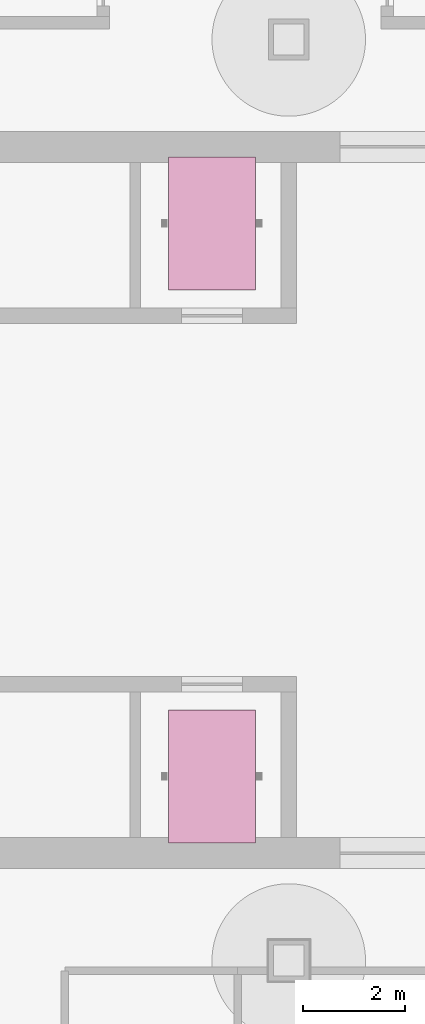
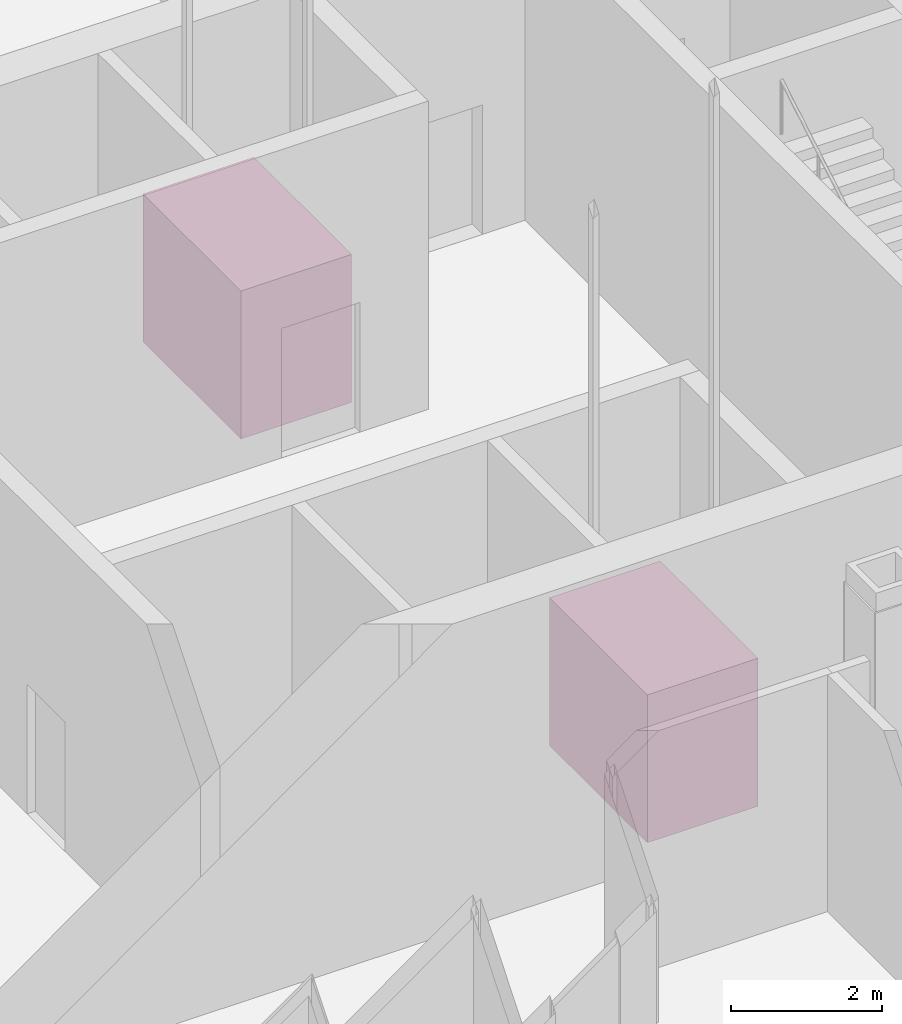
# One storey, part 26 of 28: 2 transport elements.
"""IFC4 building model written with IfcOpenShell, lengths in metres."""

import ifcopenshell
import ifcopenshell.guid

model = None  # the IFC model being written
_history = None  # IfcOwnerHistory: only IFC2X3 demands one
_inside = {}  # id of a spatial element -> (the spatial element, [elements in it])
_under = {}  # id of a project, library or spatial element -> (it, [spatial elements below it])
_declared = {}  # id of a project -> (the project, [libraries it declares])
_typed = {}  # id of a type object -> (the type object, [elements of that type])
_made_of = {}  # id of a material, layer set ... -> (it, [elements and type objects made of it])


def new_model(schema):
    """Start an empty IFC model of exactly this schema.

    Asked for "IFC4X3", IfcOpenShell would pick the latest addendum, in which some entities
    have other attributes; the version numbers below select the first issue.
    IFC2X3 requires an IfcOwnerHistory on every rooted entity: one is made here for all.
    """
    global model, _history
    if schema == "IFC4X3":
        model = ifcopenshell.file(schema_version=(4, 3, 0, 0))
    else:
        model = ifcopenshell.file(schema=schema)
    _inside.clear()
    _under.clear()
    _declared.clear()
    _typed.clear()
    _made_of.clear()
    _history = None
    if model.schema == "IFC2X3":
        org = make("IfcOrganization", Name="unknown")
        user = make(
            "IfcPersonAndOrganization",
            ThePerson=make("IfcPerson", FamilyName="unknown"),
            TheOrganization=org,
        )
        app = make(
            "IfcApplication",
            ApplicationDeveloper=org,
            Version="unknown",
            ApplicationFullName="unknown",
            ApplicationIdentifier="unknown",
        )
        _history = make(
            "IfcOwnerHistory",
            OwningUser=user,
            OwningApplication=app,
            ChangeAction="ADDED",
            CreationDate=0,
        )
    return model


def make(cls, **values):
    """One entity of the class cls with the attributes given. An attribute that is None is left unset."""
    return model.create_entity(
        cls, **{name: value for name, value in values.items() if value is not None}
    )


def rooted(cls, **values):
    """An entity with a GlobalId (a new one), such as an element, a storey or a relation."""
    return make(cls, GlobalId=ifcopenshell.guid.new(), OwnerHistory=_history, **values)


def si_unit(unit_type, name, prefix=None):
    """IfcSIUnit, for example si_unit("LENGTHUNIT", "METRE", prefix="MILLI")."""
    return make("IfcSIUnit", UnitType=unit_type, Prefix=prefix, Name=name)


def assignment(units):
    """IfcUnitAssignment: the units of a project."""
    return None if units is None else make("IfcUnitAssignment", Units=units)


def point(xyz):
    """IfcCartesianPoint."""
    return None if xyz is None else make("IfcCartesianPoint", Coordinates=xyz)


def direction(xyz):
    """IfcDirection."""
    return None if xyz is None else make("IfcDirection", DirectionRatios=xyz)


def frame(location, z_axis=None, x_axis=None):
    """IfcAxis2Placement3D, a coordinate frame: its origin and axes. An axis left out is left unset."""
    return make(
        "IfcAxis2Placement3D",
        Location=point(location),
        Axis=direction(z_axis),
        RefDirection=direction(x_axis),
    )


def frame_2d(location, x_axis=None):
    """IfcAxis2Placement2D, a coordinate frame in the plane: its origin and x axis."""
    return make(
        "IfcAxis2Placement2D", Location=point(location), RefDirection=direction(x_axis)
    )


def origin():
    """The frame at (0, 0, 0) with its axes left unset."""
    return frame((0.0, 0.0, 0.0))


def origin_2d():
    """The frame at (0, 0) in the plane with its x axis left unset."""
    return frame_2d((0.0, 0.0))


def place(relative_to, where):
    """IfcLocalPlacement: puts the frame where relative to a parent placement (None: the world)."""
    return make(
        "IfcLocalPlacement", PlacementRelTo=relative_to, RelativePlacement=where
    )


def context(
    kind, dimensions, precision=None, world=None, true_north=None, identifier=None
):
    """IfcGeometricRepresentationContext, for example the 3D "Model" context."""
    return make(
        "IfcGeometricRepresentationContext",
        ContextIdentifier=identifier,
        ContextType=kind,
        CoordinateSpaceDimension=dimensions,
        Precision=precision,
        WorldCoordinateSystem=world,
        TrueNorth=true_north,
    )


def subcontext(parent, identifier, kind, view, scale=None):
    """IfcGeometricRepresentationSubContext, for example "Body" below "Model"."""
    return make(
        "IfcGeometricRepresentationSubContext",
        ContextIdentifier=identifier,
        ContextType=kind,
        ParentContext=parent,
        TargetScale=scale,
        TargetView=view,
    )


def project(units=None, contexts=None):
    """IfcProject with its units and contexts."""
    return rooted(
        "IfcProject",
        Name="project",
        RepresentationContexts=contexts,
        UnitsInContext=assignment(units),
    )


def spatial(cls, under=None, at=None, **own):
    """A site, building, storey or space (cls), placed at a placement, below another one or the project."""
    s = rooted(cls, ObjectPlacement=at, **own)
    if under is not None:
        _under.setdefault(under.id(), (under, []))[1].append(s)
    return s


def profile(cls, at=None, kind="AREA", **sizes):
    """A parametric profile (cls). Its sizes go by their IFC names, for example OverallWidth=200.0."""
    return make(cls, ProfileType=kind, Position=at, **sizes)


def rectangle(**sizes):
    """IfcRectangleProfileDef."""
    return profile("IfcRectangleProfileDef", **sizes)


def extrude(swept, where, along, depth):
    """IfcExtrudedAreaSolid: the profile swept, set in the frame where, extruded along a direction by depth."""
    return make(
        "IfcExtrudedAreaSolid",
        SweptArea=swept,
        Position=where,
        ExtrudedDirection=direction(along),
        Depth=depth,
    )


def shape(context_of_items, identifier, shape_type, items):
    """IfcShapeRepresentation: the items that make up one representation, for example the "Body"."""
    return make(
        "IfcShapeRepresentation",
        ContextOfItems=context_of_items,
        RepresentationIdentifier=identifier,
        RepresentationType=shape_type,
        Items=items,
    )


def material(Name=None, Category=None):
    """IfcMaterial."""
    return make("IfcMaterial", Name=Name, Category=Category)


def made_of(thing, what):
    """Note that an element or type object is made of a material, layer set ...; save() writes the relation."""
    if what is not None:
        _made_of.setdefault(what.id(), (what, []))[1].append(thing)
    return thing


def type_object(cls, material=None, **own):
    """A type object (cls), such as IfcWallType, which elements share."""
    return made_of(rooted(cls, **own), material)


def element(
    cls,
    number,
    at=None,
    inside=None,
    cuts=None,
    type_object=None,
    material=None,
    context=None,
    identifier="Body",
    shape_type=None,
    held_by="IfcProductDefinitionShape",
    body=None,
    shapes=None,
    **own,
):
    """One element of the class cls, such as IfcWall. Its Tag is "e" and its number.

    at: its placement. inside: the storey or other place that contains it. cuts: it is an
    opening in that element (IfcRelVoidsElement). A single representation is given by context,
    identifier, shape_type and body (its items); several are given by shapes. held_by: the class
    of the entity that holds the representations. save() writes the other relations.
    """
    e = rooted(cls, Tag="e%d" % number, ObjectPlacement=at, **own)
    if body is not None:
        shapes = [shape(context, identifier, shape_type, body)]
    if shapes is not None:
        e.Representation = make(held_by, Representations=shapes)
    if inside is not None:
        _inside.setdefault(inside.id(), (inside, []))[1].append(e)
    if cuts is not None:
        rooted(
            "IfcRelVoidsElement", RelatingBuildingElement=cuts, RelatedOpeningElement=e
        )
    if type_object is not None:
        _typed.setdefault(type_object.id(), (type_object, []))[1].append(e)
    return made_of(e, material)


def aggregate(whole, parts):
    """IfcRelAggregates: a whole, such as a stair, and the parts it consists of."""
    return rooted("IfcRelAggregates", RelatingObject=whole, RelatedObjects=parts)


def save(model, path):
    """Write the relations noted so far, then the file.

    IfcRelAggregates (storeys below a building ...), IfcRelContainedInSpatialStructure (elements
    in a storey), IfcRelDefinesByType, IfcRelAssociatesMaterial and IfcRelDeclares: one each for
    every whole, place, type object, material and project.
    """
    for whole, parts in _under.values():
        aggregate(whole, parts)
    for where, things in _inside.values():
        rooted(
            "IfcRelContainedInSpatialStructure",
            RelatedElements=things,
            RelatingStructure=where,
        )
    for kind, things in _typed.values():
        rooted("IfcRelDefinesByType", RelatedObjects=things, RelatingType=kind)
    for what, things in _made_of.values():
        rooted("IfcRelAssociatesMaterial", RelatedObjects=things, RelatingMaterial=what)
    for by, libraries in _declared.values():
        rooted("IfcRelDeclares", RelatingContext=by, RelatedDefinitions=libraries)
    model.write(path)


model = new_model("IFC4")

# Units and contexts
model_context = context("Model", 3, precision=1e-05, world=origin(), true_north=direction((0.0, 1.0)))
body_context = subcontext(model_context, "Body", "Model", "MODEL_VIEW")
ifc_project = project(units=[si_unit("LENGTHUNIT", "METRE"), si_unit("AREAUNIT", "SQUARE_METRE"), si_unit("VOLUMEUNIT", "CUBIC_METRE"), si_unit("PLANEANGLEUNIT", "RADIAN"), si_unit("MASSUNIT", "GRAM", prefix="KILO")], contexts=[model_context])

# Site, building, storey
site_placement = place(None, origin())
site = spatial("IfcSite", under=ifc_project, at=site_placement, CompositionType="ELEMENT")
building_placement = place(site_placement, origin())
building = spatial("IfcBuilding", under=site, at=building_placement, Name="Loomwork Tower", CompositionType="ELEMENT")
storey_placement = place(building_placement, frame((0.0, 0.0, -10.5)))
storey = spatial("IfcBuildingStorey", under=building, at=storey_placement, Name="B2", CompositionType="ELEMENT", Elevation=-10.5)

# Transport elements
ifc_material = material(Name="Steel lift car", Category="steel")
transport_element_type = type_object("IfcTransportElementType", Name="Fire service access lift 2000 kg", PredefinedType="ELEVATOR", material=ifc_material)
for number, where, z_axis, x_axis, name in (
    (1, (25.5, 12.60009765625, 0.0), (0.0, 0.0, 1.0), (1.0, 0.0, 0.0), "Fire service access lift LF1"),
    (2, (25.5, 23.39990234375, 0.0), (0.0, 0.0, 1.0), (1.0, 0.0, 0.0), "Fire service access lift LF2"),
):
    element("IfcTransportElement", number, at=place(storey_placement, frame(where, z_axis=z_axis, x_axis=x_axis)), inside=storey, type_object=transport_element_type, Name=name, PredefinedType="ELEVATOR", context=body_context, shape_type="SweptSolid", body=[
        extrude(rectangle(XDim=1.699951171875, YDim=2.60009765625, at=origin_2d()), origin(), (0.0, 0.0, 1.0), 2.39990234375),
    ])

save(model, "model.ifc")
